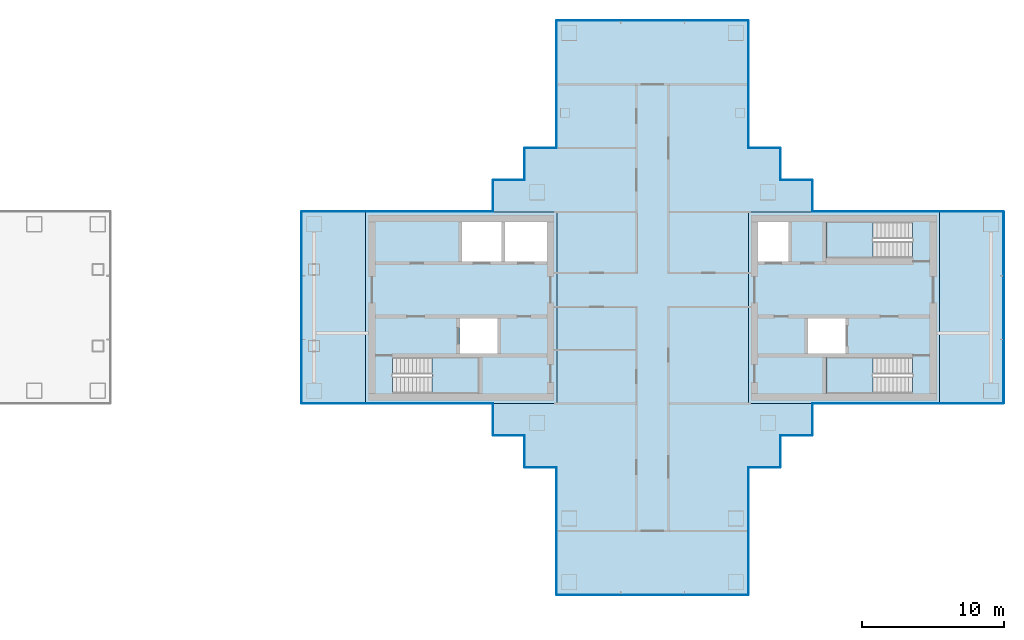
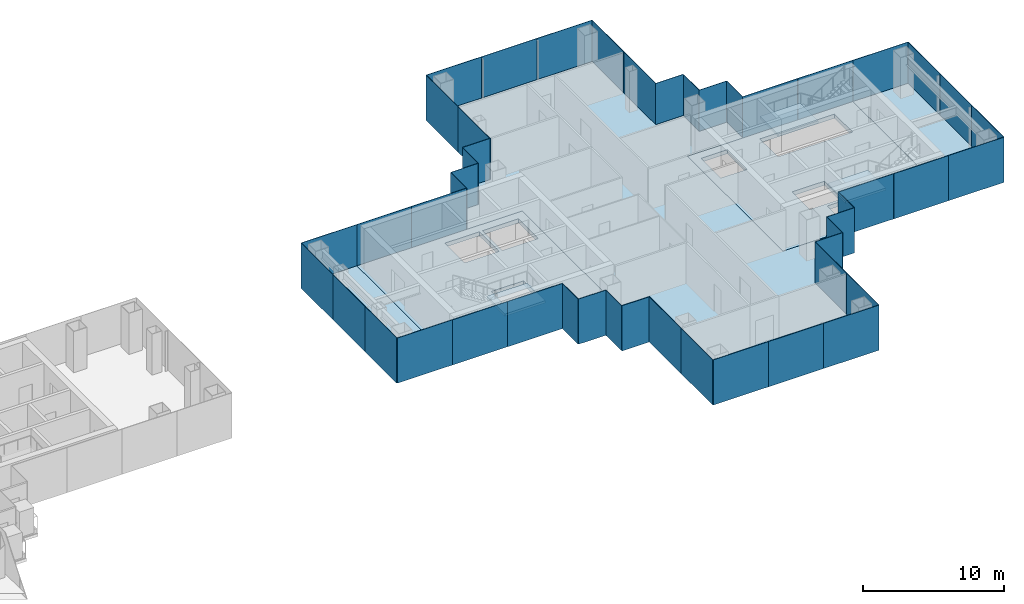
# One storey, part 8 of 16: 48 plates, 8 slabs, 23 elements without a shape of their own.
"""IFC4 building model written with IfcOpenShell, lengths in metres."""

from ifc_helpers import new_model, si_unit, direction, frame, origin, origin_2d, place, context, subcontext, project, spatial, polyline, rectangle, outline, extrude, material, layer, layer_set, type_object, element, aggregate, save


model = new_model("IFC4")

# Units and contexts
model_context = context("Model", 3, precision=1e-05, world=origin(), true_north=direction((0.0, 1.0)))
body_context = subcontext(model_context, "Body", "Model", "MODEL_VIEW")
ifc_project = project(units=[si_unit("LENGTHUNIT", "METRE"), si_unit("AREAUNIT", "SQUARE_METRE"), si_unit("VOLUMEUNIT", "CUBIC_METRE"), si_unit("PLANEANGLEUNIT", "RADIAN"), si_unit("MASSUNIT", "GRAM", prefix="KILO")], contexts=[model_context])

# Site, building, storey
site_placement = place(None, origin())
site = spatial("IfcSite", under=ifc_project, at=site_placement, CompositionType="ELEMENT")
building_placement = place(site_placement, origin())
building = spatial("IfcBuilding", under=site, at=building_placement, Name="Shamsa Quay Exchange Towers", CompositionType="ELEMENT")
storey_placement = place(building_placement, frame((0.0, 0.0, 158.39990234375)))
storey = spatial("IfcBuildingStorey", under=building, at=storey_placement, Name="L37", CompositionType="ELEMENT", Elevation=158.39990234375)

# Slabs
ifc_material_1 = material(Name="Concrete C50/60", Category="concrete")
ifc_layer_1 = layer(ifc_material_1, 0.35009765625)
ifc_layer_set_1 = layer_set([ifc_layer_1], Name="CORE FLOOR 350 C50/60")
slab_type_1 = type_object("IfcSlabType", Name="CORE FLOOR 350 C50/60", PredefinedType="FLOOR", material=ifc_layer_set_1)
slab_1_placement = place(storey_placement, frame((0.0, 0.0, -0.349853515625)))
element("IfcSlab", 1, at=slab_1_placement, inside=storey, type_object=slab_type_1, Name="Core floor T2A", PredefinedType="FLOOR", context=body_context, shape_type="SweptSolid", body=[
    extrude(outline(polyline([(13.5, -6.75), (27.0, -6.75), (27.0, 6.75), (13.5, 6.75), (13.5, -6.75)]), holes=[polyline([(15.400634765625, -6.050048828125), (15.400634765625, -3.5), (21.5, -3.5), (21.5, -6.050048828125), (15.400634765625, -6.050048828125)]), polyline([(20.300048828125, 3.25), (20.300048828125, 6.050048828125), (23.10009765625, 6.050048828125), (23.10009765625, 3.25), (20.300048828125, 3.25)]), polyline([(23.35009765625, 3.25), (23.35009765625, 6.050048828125), (26.300048828125, 6.050048828125), (26.300048828125, 3.25), (23.35009765625, 3.25)]), polyline([(20.14990234375, -3.25), (20.14990234375, -0.75), (22.800048828125, -0.75), (22.800048828125, -3.25), (20.14990234375, -3.25)])]), origin(), (0.0, 0.0, 1.0), 0.349853515625),
])
slab_2_placement = place(storey_placement, frame((0.0, 0.0, -0.349853515625)))
element("IfcSlab", 2, at=slab_2_placement, inside=storey, type_object=slab_type_1, Name="Core floor T2B", PredefinedType="FLOOR", context=body_context, shape_type="SweptSolid", body=[
    extrude(outline(polyline([(54.0, -6.75), (54.0, 6.75), (40.5, 6.75), (40.5, -6.75), (54.0, -6.75)]), holes=[polyline([(52.099365234375, -3.5), (52.099365234375, -6.050048828125), (46.0, -6.050048828125), (46.0, -3.5), (52.099365234375, -3.5)]), polyline([(52.099365234375, 6.050048828125), (52.099365234375, 3.5), (46.0, 3.5), (46.0, 6.050048828125), (52.099365234375, 6.050048828125)]), polyline([(43.35009765625, 3.25), (41.199951171875, 3.25), (41.199951171875, 6.050048828125), (43.35009765625, 6.050048828125), (43.35009765625, 3.25)]), polyline([(47.35009765625, -3.25), (44.699951171875, -3.25), (44.699951171875, -0.75), (47.35009765625, -0.75), (47.35009765625, -3.25)])]), origin(), (0.0, 0.0, 1.0), 0.349853515625),
])

# Stair, slab
ifc_material_2 = material(Name="Concrete C40/50", Category="concrete")
stair_type = type_object("IfcStairType", Name="EXIT STAIR 22 RISERS 177 MM", PredefinedType="HALF_TURN_STAIR", material=ifc_material_2)
stair_1_placement = place(storey_placement, origin())
stair_1 = element("IfcStair", 3, at=stair_1_placement, inside=storey, type_object=stair_type, Name="L37 Exit stair ST4", PredefinedType="HALF_TURN_STAIR")
ifc_layer_2 = layer(ifc_material_2, 0.199951171875)
ifc_layer_set_2 = layer_set([ifc_layer_2], Name="CORE STAIR LANDING")
slab_type_2 = type_object("IfcSlabType", Name="CORE STAIR LANDING", PredefinedType="LANDING", material=ifc_layer_set_2)
slab_3_placement = place(storey_placement, frame((0.0, 0.0, 1.75)))
slab_3 = element("IfcSlab", 4, at=slab_3_placement, type_object=slab_type_2, Name="ST4 landing 1", PredefinedType="LANDING", context=body_context, shape_type="SweptSolid", body=[
    extrude(outline(polyline([(18.199951171875, -6.050048828125), (21.5, -6.050048828125), (21.5, -3.5), (18.199951171875, -3.5), (18.199951171875, -6.050048828125)])), origin(), (0.0, 0.0, 1.0), 0.2001953125),
])
aggregate(stair_1, [slab_3])

stair_2_placement = place(storey_placement, origin())
stair_2 = element("IfcStair", 5, at=stair_2_placement, inside=storey, type_object=stair_type, Name="L37 Exit stair ST5", PredefinedType="HALF_TURN_STAIR")
slab_4_placement = place(storey_placement, frame((0.0, 0.0, 1.75)))
slab_4 = element("IfcSlab", 6, at=slab_4_placement, type_object=slab_type_2, Name="ST5 landing 1", PredefinedType="LANDING", context=body_context, shape_type="SweptSolid", body=[
    extrude(outline(polyline([(49.300048828125, -3.5), (46.0, -3.5), (46.0, -6.050048828125), (49.300048828125, -6.050048828125), (49.300048828125, -3.5)])), origin(), (0.0, 0.0, 1.0), 0.2001953125),
])
aggregate(stair_2, [slab_4])

stair_3_placement = place(storey_placement, origin())
stair_3 = element("IfcStair", 7, at=stair_3_placement, inside=storey, type_object=stair_type, Name="L37 Exit stair ST6", PredefinedType="HALF_TURN_STAIR")
slab_5_placement = place(storey_placement, frame((0.0, 0.0, 1.75)))
slab_5 = element("IfcSlab", 8, at=slab_5_placement, type_object=slab_type_2, Name="ST6 landing 1", PredefinedType="LANDING", context=body_context, shape_type="SweptSolid", body=[
    extrude(outline(polyline([(49.300048828125, 6.050048828125), (46.0, 6.050048828125), (46.0, 3.5), (49.300048828125, 3.5), (49.300048828125, 6.050048828125)])), origin(), (0.0, 0.0, 1.0), 0.2001953125),
])
aggregate(stair_3, [slab_5])

# Curtain wall, plate
ifc_material_3 = material(Name="Aluminium EN AW-6063 T6, black anodised", Category="aluminium")
ifc_layer_3 = layer(ifc_material_3, 0.280029296875)
ifc_layer_set_3 = layer_set([ifc_layer_3], Name="CW-1 UNITISED VISION GLASS")
curtain_wall_type_1 = type_object("IfcCurtainWallType", Name="CW-1 UNITISED VISION GLASS", PredefinedType="NOTDEFINED", material=ifc_layer_set_3)
curtain_wall_1_placement = place(storey_placement, origin())
curtain_wall_1 = element("IfcCurtainWall", 9, at=curtain_wall_1_placement, inside=storey, type_object=curtain_wall_type_1, Name="CW1 T2-FLK-V-W L37", PredefinedType="NOTDEFINED")
ifc_material_4 = material(Name="Glass, laminated, dark tinted", Category="glass")
ifc_layer_4 = layer(ifc_material_4, 0.0400390625)
ifc_layer_set_4 = layer_set([ifc_layer_4], Name="CW-1 VISION GLASS 40")
plate_type_1 = type_object("IfcPlateType", Name="CW-1 VISION GLASS 40", PredefinedType="CURTAIN_PANEL", material=ifc_layer_set_4)
plate_1_placement = place(storey_placement, frame((56.25, -6.77001953125, -0.349853515625)))
plate_1 = element("IfcPlate", 10, at=plate_1_placement, type_object=plate_type_1, Name="CW1 glass panel", PredefinedType="CURTAIN_PANEL", context=body_context, shape_type="SweptSolid", body=[
    extrude(rectangle(XDim=4.5, YDim=0.0400390625, at=origin_2d()), origin(), (0.0, 0.0, 1.0), 3.89990234375),
])
aggregate(curtain_wall_1, [plate_1])

# Curtain wall, plates
curtain_wall_2_placement = place(storey_placement, origin())
curtain_wall_2 = element("IfcCurtainWall", 11, at=curtain_wall_2_placement, inside=storey, type_object=curtain_wall_type_1, Name="CW1 T2-END-V- L37", PredefinedType="NOTDEFINED")
plate_2_placement = place(storey_placement, frame((58.52001953125, -4.50244140625, -0.349853515625), z_axis=(0.0, 0.0, 1.0), x_axis=(0.0, 1.0, 0.0)))
plate_2 = element("IfcPlate", 12, at=plate_2_placement, type_object=plate_type_1, Name="CW1 glass panel", PredefinedType="CURTAIN_PANEL", context=body_context, shape_type="SweptSolid", body=[
    extrude(rectangle(XDim=4.4951171875, YDim=0.0400390625, at=origin_2d()), origin(), (0.0, 0.0, 1.0), 3.89990234375),
])
plate_3_placement = place(storey_placement, frame((58.52001953125, 0.0, -0.349853515625), z_axis=(0.0, 0.0, 1.0), x_axis=(0.0, 1.0, 0.0)))
plate_3 = element("IfcPlate", 13, at=plate_3_placement, type_object=plate_type_1, Name="CW1 glass panel", PredefinedType="CURTAIN_PANEL", context=body_context, shape_type="SweptSolid", body=[
    extrude(rectangle(XDim=4.489990234375, YDim=0.0400390625, at=origin_2d()), origin(), (0.0, 0.0, 1.0), 3.89990234375),
])
plate_4_placement = place(storey_placement, frame((58.52001953125, 4.50244140625, -0.349853515625), z_axis=(0.0, 0.0, 1.0), x_axis=(0.0, 1.0, 0.0)))
plate_4 = element("IfcPlate", 14, at=plate_4_placement, type_object=plate_type_1, Name="CW1 glass panel", PredefinedType="CURTAIN_PANEL", context=body_context, shape_type="SweptSolid", body=[
    extrude(rectangle(XDim=4.4951171875, YDim=0.0400390625, at=origin_2d()), origin(), (0.0, 0.0, 1.0), 3.89990234375),
])
aggregate(curtain_wall_2, [plate_2, plate_3, plate_4])

# Curtain wall, plate
curtain_wall_3_placement = place(storey_placement, origin())
curtain_wall_3 = element("IfcCurtainWall", 15, at=curtain_wall_3_placement, inside=storey, type_object=curtain_wall_type_1, Name="CW1 T2-FLK-V-E L37", PredefinedType="NOTDEFINED")
plate_5_placement = place(storey_placement, frame((56.25, 6.77001953125, -0.349853515625), z_axis=(0.0, 0.0, 1.0), x_axis=(-1.0, 0.0, 0.0)))
plate_5 = element("IfcPlate", 16, at=plate_5_placement, type_object=plate_type_1, Name="CW1 glass panel", PredefinedType="CURTAIN_PANEL", context=body_context, shape_type="SweptSolid", body=[
    extrude(rectangle(XDim=4.5, YDim=0.0400390625, at=origin_2d()), origin(), (0.0, 0.0, 1.0), 3.89990234375),
])
aggregate(curtain_wall_3, [plate_5])

# Curtain wall, plates
curtain_wall_4_placement = place(storey_placement, origin())
curtain_wall_4 = element("IfcCurtainWall", 17, at=curtain_wall_4_placement, inside=storey, type_object=curtain_wall_type_1, Name="CW1 T2-FLK-U+S L37", PredefinedType="NOTDEFINED")
plate_6_placement = place(storey_placement, frame((40.52001953125, 13.52587890625, -0.349853515625), z_axis=(0.0, 0.0, 1.0), x_axis=(0.0, 1.0, 0.0)))
plate_6 = element("IfcPlate", 18, at=plate_6_placement, type_object=plate_type_1, Name="CW1 glass panel", PredefinedType="CURTAIN_PANEL", context=body_context, shape_type="SweptSolid", body=[
    extrude(rectangle(XDim=4.47607421875, YDim=0.0400390625, at=origin_2d()), origin(), (0.0, 0.0, 1.0), 3.89990234375),
])
plate_7_placement = place(storey_placement, frame((40.52001953125, 18.011962890625, -0.349853515625), z_axis=(0.0, 0.0, 1.0), x_axis=(0.0, 1.0, 0.0)))
plate_7 = element("IfcPlate", 19, at=plate_7_placement, type_object=plate_type_1, Name="CW1 glass panel", PredefinedType="CURTAIN_PANEL", context=body_context, shape_type="SweptSolid", body=[
    extrude(rectangle(XDim=4.47607421875, YDim=0.0400390625, at=origin_2d()), origin(), (0.0, 0.0, 1.0), 3.89990234375),
])
aggregate(curtain_wall_4, [plate_6, plate_7])

curtain_wall_5_placement = place(storey_placement, origin())
curtain_wall_5 = element("IfcCurtainWall", 20, at=curtain_wall_5_placement, inside=storey, type_object=curtain_wall_type_1, Name="CW1 T2-END-U+ L37", PredefinedType="NOTDEFINED")
plate_8_placement = place(storey_placement, frame((38.25244140625, 20.27001953125, -0.349853515625), z_axis=(0.0, 0.0, 1.0), x_axis=(-1.0, 0.0, 0.0)))
plate_8 = element("IfcPlate", 21, at=plate_8_placement, type_object=plate_type_1, Name="CW1 glass panel", PredefinedType="CURTAIN_PANEL", context=body_context, shape_type="SweptSolid", body=[
    extrude(rectangle(XDim=4.4951171875, YDim=0.0400390625, at=origin_2d()), origin(), (0.0, 0.0, 1.0), 3.89990234375),
])
plate_9_placement = place(storey_placement, frame((33.75, 20.27001953125, -0.349853515625), z_axis=(0.0, 0.0, 1.0), x_axis=(-1.0, 0.0, 0.0)))
plate_9 = element("IfcPlate", 22, at=plate_9_placement, type_object=plate_type_1, Name="CW1 glass panel", PredefinedType="CURTAIN_PANEL", context=body_context, shape_type="SweptSolid", body=[
    extrude(rectangle(XDim=4.489990234375, YDim=0.0400390625, at=origin_2d()), origin(), (0.0, 0.0, 1.0), 3.89990234375),
])
plate_10_placement = place(storey_placement, frame((29.24755859375, 20.27001953125, -0.349853515625), z_axis=(0.0, 0.0, 1.0), x_axis=(-1.0, 0.0, 0.0)))
plate_10 = element("IfcPlate", 23, at=plate_10_placement, type_object=plate_type_1, Name="CW1 glass panel", PredefinedType="CURTAIN_PANEL", context=body_context, shape_type="SweptSolid", body=[
    extrude(rectangle(XDim=4.4951171875, YDim=0.0400390625, at=origin_2d()), origin(), (0.0, 0.0, 1.0), 3.89990234375),
])
aggregate(curtain_wall_5, [plate_8, plate_9, plate_10])

curtain_wall_6_placement = place(storey_placement, origin())
curtain_wall_6 = element("IfcCurtainWall", 24, at=curtain_wall_6_placement, inside=storey, type_object=curtain_wall_type_1, Name="CW1 T2-FLK-U+N L37", PredefinedType="NOTDEFINED")
plate_11_placement = place(storey_placement, frame((26.97998046875, 18.00244140625, -0.349853515625), z_axis=(0.0, 0.0, 1.0), x_axis=(0.0, -1.0, 0.0)))
plate_11 = element("IfcPlate", 25, at=plate_11_placement, type_object=plate_type_1, Name="CW1 glass panel", PredefinedType="CURTAIN_PANEL", context=body_context, shape_type="SweptSolid", body=[
    extrude(rectangle(XDim=4.4951171875, YDim=0.0400390625, at=origin_2d()), origin(), (0.0, 0.0, 1.0), 3.89990234375),
])
plate_12_placement = place(storey_placement, frame((26.97998046875, 13.49755859375, -0.349853515625), z_axis=(0.0, 0.0, 1.0), x_axis=(0.0, -1.0, 0.0)))
plate_12 = element("IfcPlate", 26, at=plate_12_placement, type_object=plate_type_1, Name="CW1 glass panel", PredefinedType="CURTAIN_PANEL", context=body_context, shape_type="SweptSolid", body=[
    extrude(rectangle(XDim=4.4951171875, YDim=0.0400390625, at=origin_2d()), origin(), (0.0, 0.0, 1.0), 3.89990234375),
])
aggregate(curtain_wall_6, [plate_11, plate_12])

# Curtain wall, plate
curtain_wall_7_placement = place(storey_placement, origin())
curtain_wall_7 = element("IfcCurtainWall", 27, at=curtain_wall_7_placement, inside=storey, type_object=curtain_wall_type_1, Name="CW1 T2-FLK-V+E L37", PredefinedType="NOTDEFINED")
plate_13_placement = place(storey_placement, frame((11.25, 6.77001953125, -0.349853515625), z_axis=(0.0, 0.0, 1.0), x_axis=(-1.0, 0.0, 0.0)))
plate_13 = element("IfcPlate", 28, at=plate_13_placement, type_object=plate_type_1, Name="CW1 glass panel", PredefinedType="CURTAIN_PANEL", context=body_context, shape_type="SweptSolid", body=[
    extrude(rectangle(XDim=4.5, YDim=0.0400390625, at=origin_2d()), origin(), (0.0, 0.0, 1.0), 3.89990234375),
])
aggregate(curtain_wall_7, [plate_13])

# Curtain wall, plates
curtain_wall_8_placement = place(storey_placement, origin())
curtain_wall_8 = element("IfcCurtainWall", 29, at=curtain_wall_8_placement, inside=storey, type_object=curtain_wall_type_1, Name="CW1 T2-END-V+ L37", PredefinedType="NOTDEFINED")
plate_14_placement = place(storey_placement, frame((8.97998046875, 4.50244140625, -0.349853515625), z_axis=(0.0, 0.0, 1.0), x_axis=(0.0, -1.0, 0.0)))
plate_14 = element("IfcPlate", 30, at=plate_14_placement, type_object=plate_type_1, Name="CW1 glass panel", PredefinedType="CURTAIN_PANEL", context=body_context, shape_type="SweptSolid", body=[
    extrude(rectangle(XDim=4.4951171875, YDim=0.0400390625, at=origin_2d()), origin(), (0.0, 0.0, 1.0), 3.89990234375),
])
plate_15_placement = place(storey_placement, frame((8.97998046875, 0.0, -0.349853515625), z_axis=(0.0, 0.0, 1.0), x_axis=(0.0, -1.0, 0.0)))
plate_15 = element("IfcPlate", 31, at=plate_15_placement, type_object=plate_type_1, Name="CW1 glass panel", PredefinedType="CURTAIN_PANEL", context=body_context, shape_type="SweptSolid", body=[
    extrude(rectangle(XDim=4.489990234375, YDim=0.0400390625, at=origin_2d()), origin(), (0.0, 0.0, 1.0), 3.89990234375),
])
plate_16_placement = place(storey_placement, frame((8.97998046875, -4.50244140625, -0.349853515625), z_axis=(0.0, 0.0, 1.0), x_axis=(0.0, -1.0, 0.0)))
plate_16 = element("IfcPlate", 32, at=plate_16_placement, type_object=plate_type_1, Name="CW1 glass panel", PredefinedType="CURTAIN_PANEL", context=body_context, shape_type="SweptSolid", body=[
    extrude(rectangle(XDim=4.4951171875, YDim=0.0400390625, at=origin_2d()), origin(), (0.0, 0.0, 1.0), 3.89990234375),
])
aggregate(curtain_wall_8, [plate_14, plate_15, plate_16])

# Curtain wall, plate
curtain_wall_9_placement = place(storey_placement, origin())
curtain_wall_9 = element("IfcCurtainWall", 33, at=curtain_wall_9_placement, inside=storey, type_object=curtain_wall_type_1, Name="CW1 T2-FLK-V+W L37", PredefinedType="NOTDEFINED")
plate_17_placement = place(storey_placement, frame((11.25, -6.77001953125, -0.349853515625)))
plate_17 = element("IfcPlate", 34, at=plate_17_placement, type_object=plate_type_1, Name="CW1 glass panel", PredefinedType="CURTAIN_PANEL", context=body_context, shape_type="SweptSolid", body=[
    extrude(rectangle(XDim=4.5, YDim=0.0400390625, at=origin_2d()), origin(), (0.0, 0.0, 1.0), 3.89990234375),
])
aggregate(curtain_wall_9, [plate_17])

# Curtain wall, plates
curtain_wall_10_placement = place(storey_placement, origin())
curtain_wall_10 = element("IfcCurtainWall", 35, at=curtain_wall_10_placement, inside=storey, type_object=curtain_wall_type_1, Name="CW1 T2-FLK-U-N L37", PredefinedType="NOTDEFINED")
plate_18_placement = place(storey_placement, frame((26.97998046875, -13.52587890625, -0.349853515625), z_axis=(0.0, 0.0, 1.0), x_axis=(0.0, -1.0, 0.0)))
plate_18 = element("IfcPlate", 36, at=plate_18_placement, type_object=plate_type_1, Name="CW1 glass panel", PredefinedType="CURTAIN_PANEL", context=body_context, shape_type="SweptSolid", body=[
    extrude(rectangle(XDim=4.47607421875, YDim=0.0400390625, at=origin_2d()), origin(), (0.0, 0.0, 1.0), 3.89990234375),
])
plate_19_placement = place(storey_placement, frame((26.97998046875, -18.011962890625, -0.349853515625), z_axis=(0.0, 0.0, 1.0), x_axis=(0.0, -1.0, 0.0)))
plate_19 = element("IfcPlate", 37, at=plate_19_placement, type_object=plate_type_1, Name="CW1 glass panel", PredefinedType="CURTAIN_PANEL", context=body_context, shape_type="SweptSolid", body=[
    extrude(rectangle(XDim=4.47607421875, YDim=0.0400390625, at=origin_2d()), origin(), (0.0, 0.0, 1.0), 3.89990234375),
])
aggregate(curtain_wall_10, [plate_18, plate_19])

curtain_wall_11_placement = place(storey_placement, origin())
curtain_wall_11 = element("IfcCurtainWall", 38, at=curtain_wall_11_placement, inside=storey, type_object=curtain_wall_type_1, Name="CW1 T2-END-U- L37", PredefinedType="NOTDEFINED")
plate_20_placement = place(storey_placement, frame((29.24755859375, -20.27001953125, -0.349853515625)))
plate_20 = element("IfcPlate", 39, at=plate_20_placement, type_object=plate_type_1, Name="CW1 glass panel", PredefinedType="CURTAIN_PANEL", context=body_context, shape_type="SweptSolid", body=[
    extrude(rectangle(XDim=4.4951171875, YDim=0.0400390625, at=origin_2d()), origin(), (0.0, 0.0, 1.0), 3.89990234375),
])
plate_21_placement = place(storey_placement, frame((33.75, -20.27001953125, -0.349853515625)))
plate_21 = element("IfcPlate", 40, at=plate_21_placement, type_object=plate_type_1, Name="CW1 glass panel", PredefinedType="CURTAIN_PANEL", context=body_context, shape_type="SweptSolid", body=[
    extrude(rectangle(XDim=4.489990234375, YDim=0.0400390625, at=origin_2d()), origin(), (0.0, 0.0, 1.0), 3.89990234375),
])
plate_22_placement = place(storey_placement, frame((38.25244140625, -20.27001953125, -0.349853515625)))
plate_22 = element("IfcPlate", 41, at=plate_22_placement, type_object=plate_type_1, Name="CW1 glass panel", PredefinedType="CURTAIN_PANEL", context=body_context, shape_type="SweptSolid", body=[
    extrude(rectangle(XDim=4.4951171875, YDim=0.0400390625, at=origin_2d()), origin(), (0.0, 0.0, 1.0), 3.89990234375),
])
aggregate(curtain_wall_11, [plate_20, plate_21, plate_22])

curtain_wall_12_placement = place(storey_placement, origin())
curtain_wall_12 = element("IfcCurtainWall", 42, at=curtain_wall_12_placement, inside=storey, type_object=curtain_wall_type_1, Name="CW1 T2-FLK-U-S L37", PredefinedType="NOTDEFINED")
plate_23_placement = place(storey_placement, frame((40.52001953125, -18.00244140625, -0.349853515625), z_axis=(0.0, 0.0, 1.0), x_axis=(0.0, 1.0, 0.0)))
plate_23 = element("IfcPlate", 43, at=plate_23_placement, type_object=plate_type_1, Name="CW1 glass panel", PredefinedType="CURTAIN_PANEL", context=body_context, shape_type="SweptSolid", body=[
    extrude(rectangle(XDim=4.4951171875, YDim=0.0400390625, at=origin_2d()), origin(), (0.0, 0.0, 1.0), 3.89990234375),
])
plate_24_placement = place(storey_placement, frame((40.52001953125, -13.49755859375, -0.349853515625), z_axis=(0.0, 0.0, 1.0), x_axis=(0.0, 1.0, 0.0)))
plate_24 = element("IfcPlate", 44, at=plate_24_placement, type_object=plate_type_1, Name="CW1 glass panel", PredefinedType="CURTAIN_PANEL", context=body_context, shape_type="SweptSolid", body=[
    extrude(rectangle(XDim=4.4951171875, YDim=0.0400390625, at=origin_2d()), origin(), (0.0, 0.0, 1.0), 3.89990234375),
])
aggregate(curtain_wall_12, [plate_23, plate_24])

ifc_layer_5 = layer(ifc_material_3, 0.303955078125)
ifc_layer_set_5 = layer_set([ifc_layer_5], Name="CW-2 UNITISED OPAQUE SPANDREL GLASS")
curtain_wall_type_2 = type_object("IfcCurtainWallType", Name="CW-2 UNITISED OPAQUE SPANDREL GLASS", PredefinedType="NOTDEFINED", material=ifc_layer_set_5)
curtain_wall_13_placement = place(storey_placement, origin())
curtain_wall_13 = element("IfcCurtainWall", 45, at=curtain_wall_13_placement, inside=storey, type_object=curtain_wall_type_2, Name="CW2 T2-FLK-V-W L37", PredefinedType="NOTDEFINED")
ifc_material_5 = material(Name="Glass, laminated, black enamelled opaque", Category="glass")
ifc_layer_6 = layer(ifc_material_5, 0.0439453125)
ifc_layer_set_6 = layer_set([ifc_layer_6], Name="CW-2 SPANDREL GLASS 44")
plate_type_2 = type_object("IfcPlateType", Name="CW-2 SPANDREL GLASS 44", PredefinedType="CURTAIN_PANEL", material=ifc_layer_set_6)
plate_25_placement = place(storey_placement, frame((47.27587890625, -6.77197265625, -0.349853515625)))
plate_25 = element("IfcPlate", 46, at=plate_25_placement, type_object=plate_type_2, Name="CW2 glass panel", PredefinedType="CURTAIN_PANEL", context=body_context, shape_type="SweptSolid", body=[
    extrude(rectangle(XDim=4.47607421875, YDim=0.0439453125, at=origin_2d()), origin(), (0.0, 0.0, 1.0), 3.89990234375),
])
plate_26_placement = place(storey_placement, frame((51.761962890625, -6.77197265625, -0.349853515625)))
plate_26 = element("IfcPlate", 47, at=plate_26_placement, type_object=plate_type_2, Name="CW2 glass panel", PredefinedType="CURTAIN_PANEL", context=body_context, shape_type="SweptSolid", body=[
    extrude(rectangle(XDim=4.47607421875, YDim=0.0439453125, at=origin_2d()), origin(), (0.0, 0.0, 1.0), 3.89990234375),
])
aggregate(curtain_wall_13, [plate_25, plate_26])

curtain_wall_14_placement = place(storey_placement, origin())
curtain_wall_14 = element("IfcCurtainWall", 48, at=curtain_wall_14_placement, inside=storey, type_object=curtain_wall_type_2, Name="CW2 T2-FLK-V-E L37", PredefinedType="NOTDEFINED")
plate_27_placement = place(storey_placement, frame((51.75244140625, 6.77197265625, -0.349853515625), z_axis=(0.0, 0.0, 1.0), x_axis=(-1.0, 0.0, 0.0)))
plate_27 = element("IfcPlate", 49, at=plate_27_placement, type_object=plate_type_2, Name="CW2 glass panel", PredefinedType="CURTAIN_PANEL", context=body_context, shape_type="SweptSolid", body=[
    extrude(rectangle(XDim=4.4951171875, YDim=0.0439453125, at=origin_2d()), origin(), (0.0, 0.0, 1.0), 3.89990234375),
])
plate_28_placement = place(storey_placement, frame((47.24755859375, 6.77197265625, -0.349853515625), z_axis=(0.0, 0.0, 1.0), x_axis=(-1.0, 0.0, 0.0)))
plate_28 = element("IfcPlate", 50, at=plate_28_placement, type_object=plate_type_2, Name="CW2 glass panel", PredefinedType="CURTAIN_PANEL", context=body_context, shape_type="SweptSolid", body=[
    extrude(rectangle(XDim=4.4951171875, YDim=0.0439453125, at=origin_2d()), origin(), (0.0, 0.0, 1.0), 3.89990234375),
])
aggregate(curtain_wall_14, [plate_27, plate_28])

curtain_wall_15_placement = place(storey_placement, origin())
curtain_wall_15 = element("IfcCurtainWall", 51, at=curtain_wall_15_placement, inside=storey, type_object=curtain_wall_type_2, Name="CW2 T2-FLK-V+E L37", PredefinedType="NOTDEFINED")
plate_29_placement = place(storey_placement, frame((20.22412109375, 6.77197265625, -0.349853515625), z_axis=(0.0, 0.0, 1.0), x_axis=(-1.0, 0.0, 0.0)))
plate_29 = element("IfcPlate", 52, at=plate_29_placement, type_object=plate_type_2, Name="CW2 glass panel", PredefinedType="CURTAIN_PANEL", context=body_context, shape_type="SweptSolid", body=[
    extrude(rectangle(XDim=4.47607421875, YDim=0.0439453125, at=origin_2d()), origin(), (0.0, 0.0, 1.0), 3.89990234375),
])
plate_30_placement = place(storey_placement, frame((15.738037109375, 6.77197265625, -0.349853515625), z_axis=(0.0, 0.0, 1.0), x_axis=(-1.0, 0.0, 0.0)))
plate_30 = element("IfcPlate", 53, at=plate_30_placement, type_object=plate_type_2, Name="CW2 glass panel", PredefinedType="CURTAIN_PANEL", context=body_context, shape_type="SweptSolid", body=[
    extrude(rectangle(XDim=4.47607421875, YDim=0.0439453125, at=origin_2d()), origin(), (0.0, 0.0, 1.0), 3.89990234375),
])
aggregate(curtain_wall_15, [plate_29, plate_30])

curtain_wall_16_placement = place(storey_placement, origin())
curtain_wall_16 = element("IfcCurtainWall", 54, at=curtain_wall_16_placement, inside=storey, type_object=curtain_wall_type_2, Name="CW2 T2-FLK-V+W L37", PredefinedType="NOTDEFINED")
plate_31_placement = place(storey_placement, frame((15.74755859375, -6.77197265625, -0.349853515625)))
plate_31 = element("IfcPlate", 55, at=plate_31_placement, type_object=plate_type_2, Name="CW2 glass panel", PredefinedType="CURTAIN_PANEL", context=body_context, shape_type="SweptSolid", body=[
    extrude(rectangle(XDim=4.4951171875, YDim=0.0439453125, at=origin_2d()), origin(), (0.0, 0.0, 1.0), 3.89990234375),
])
plate_32_placement = place(storey_placement, frame((20.25244140625, -6.77197265625, -0.349853515625)))
plate_32 = element("IfcPlate", 56, at=plate_32_placement, type_object=plate_type_2, Name="CW2 glass panel", PredefinedType="CURTAIN_PANEL", context=body_context, shape_type="SweptSolid", body=[
    extrude(rectangle(XDim=4.4951171875, YDim=0.0439453125, at=origin_2d()), origin(), (0.0, 0.0, 1.0), 3.89990234375),
])
aggregate(curtain_wall_16, [plate_31, plate_32])

ifc_layer_7 = layer(ifc_material_3, 0.256103515625)
ifc_layer_set_7 = layer_set([ifc_layer_7], Name="CW-4 POCKET SERRATED GLAZING")
curtain_wall_type_3 = type_object("IfcCurtainWallType", Name="CW-4 POCKET SERRATED GLAZING", PredefinedType="NOTDEFINED", material=ifc_layer_set_7)
curtain_wall_17_placement = place(storey_placement, origin())
curtain_wall_17 = element("IfcCurtainWall", 57, at=curtain_wall_17_placement, inside=storey, type_object=curtain_wall_type_3, Name="CW4 PKWS L37", PredefinedType="NOTDEFINED")
ifc_layer_8 = layer(ifc_material_4, 0.035888671875)
ifc_layer_set_8 = layer_set([ifc_layer_8], Name="CW-4 POCKET GLASS 36")
plate_type_3 = type_object("IfcPlateType", Name="CW-4 POCKET GLASS 36", PredefinedType="CURTAIN_PANEL", material=ifc_layer_set_8)
plate_33_placement = place(storey_placement, frame((43.89404296875, -9.01806640625, -0.349853515625)))
plate_33 = element("IfcPlate", 58, at=plate_33_placement, type_object=plate_type_3, Name="CW4 glass panel", PredefinedType="CURTAIN_PANEL", context=body_context, shape_type="SweptSolid", body=[
    extrude(rectangle(XDim=2.2119140625, YDim=0.035888671875, at=origin_2d()), origin(), (0.0, 0.0, 1.0), 3.89990234375),
])
plate_34_placement = place(storey_placement, frame((45.01806640625, -7.875, -0.349853515625), z_axis=(0.0, 0.0, 1.0), x_axis=(0.0, 1.0, 0.0)))
plate_34 = element("IfcPlate", 59, at=plate_34_placement, type_object=plate_type_3, Name="CW4 glass panel", PredefinedType="CURTAIN_PANEL", context=body_context, shape_type="SweptSolid", body=[
    extrude(rectangle(XDim=2.25, YDim=0.035888671875, at=origin_2d()), origin(), (0.0, 0.0, 1.0), 3.89990234375),
])
plate_35_placement = place(storey_placement, frame((41.64599609375, -11.26806640625, -0.349853515625)))
plate_35 = element("IfcPlate", 60, at=plate_35_placement, type_object=plate_type_3, Name="CW4 glass panel", PredefinedType="CURTAIN_PANEL", context=body_context, shape_type="SweptSolid", body=[
    extrude(rectangle(XDim=2.2080078125, YDim=0.035888671875, at=origin_2d()), origin(), (0.0, 0.0, 1.0), 3.89990234375),
])
plate_36_placement = place(storey_placement, frame((42.76806640625, -10.125, -0.349853515625), z_axis=(0.0, 0.0, 1.0), x_axis=(0.0, 1.0, 0.0)))
plate_36 = element("IfcPlate", 61, at=plate_36_placement, type_object=plate_type_3, Name="CW4 glass panel", PredefinedType="CURTAIN_PANEL", context=body_context, shape_type="SweptSolid", body=[
    extrude(rectangle(XDim=2.25, YDim=0.035888671875, at=origin_2d()), origin(), (0.0, 0.0, 1.0), 3.89990234375),
])
aggregate(curtain_wall_17, [plate_33, plate_34, plate_35, plate_36])

curtain_wall_18_placement = place(storey_placement, origin())
curtain_wall_18 = element("IfcCurtainWall", 62, at=curtain_wall_18_placement, inside=storey, type_object=curtain_wall_type_3, Name="CW4 PKES L37", PredefinedType="NOTDEFINED")
plate_37_placement = place(storey_placement, frame((45.01806640625, 7.89794921875, -0.349853515625), z_axis=(0.0, 0.0, 1.0), x_axis=(0.0, 1.0, 0.0)))
plate_37 = element("IfcPlate", 63, at=plate_37_placement, type_object=plate_type_3, Name="CW4 glass panel", PredefinedType="CURTAIN_PANEL", context=body_context, shape_type="SweptSolid", body=[
    extrude(rectangle(XDim=2.2041015625, YDim=0.035888671875, at=origin_2d()), origin(), (0.0, 0.0, 1.0), 3.89990234375),
])
plate_38_placement = place(storey_placement, frame((43.875, 9.01806640625, -0.349853515625), z_axis=(0.0, 0.0, 1.0), x_axis=(-1.0, 0.0, 0.0)))
plate_38 = element("IfcPlate", 64, at=plate_38_placement, type_object=plate_type_3, Name="CW4 glass panel", PredefinedType="CURTAIN_PANEL", context=body_context, shape_type="SweptSolid", body=[
    extrude(rectangle(XDim=2.25, YDim=0.035888671875, at=origin_2d()), origin(), (0.0, 0.0, 1.0), 3.89990234375),
])
plate_39_placement = place(storey_placement, frame((42.76806640625, 10.14404296875, -0.349853515625), z_axis=(0.0, 0.0, 1.0), x_axis=(0.0, 1.0, 0.0)))
plate_39 = element("IfcPlate", 65, at=plate_39_placement, type_object=plate_type_3, Name="CW4 glass panel", PredefinedType="CURTAIN_PANEL", context=body_context, shape_type="SweptSolid", body=[
    extrude(rectangle(XDim=2.2119140625, YDim=0.035888671875, at=origin_2d()), origin(), (0.0, 0.0, 1.0), 3.89990234375),
])
plate_40_placement = place(storey_placement, frame((41.625, 11.26806640625, -0.349853515625), z_axis=(0.0, 0.0, 1.0), x_axis=(-1.0, 0.0, 0.0)))
plate_40 = element("IfcPlate", 66, at=plate_40_placement, type_object=plate_type_3, Name="CW4 glass panel", PredefinedType="CURTAIN_PANEL", context=body_context, shape_type="SweptSolid", body=[
    extrude(rectangle(XDim=2.25, YDim=0.035888671875, at=origin_2d()), origin(), (0.0, 0.0, 1.0), 3.89990234375),
])
aggregate(curtain_wall_18, [plate_37, plate_38, plate_39, plate_40])

curtain_wall_19_placement = place(storey_placement, origin())
curtain_wall_19 = element("IfcCurtainWall", 67, at=curtain_wall_19_placement, inside=storey, type_object=curtain_wall_type_3, Name="CW4 PKEN L37", PredefinedType="NOTDEFINED")
plate_41_placement = place(storey_placement, frame((25.85400390625, 11.26806640625, -0.349853515625), z_axis=(0.0, 0.0, 1.0), x_axis=(-1.0, 0.0, 0.0)))
plate_41 = element("IfcPlate", 68, at=plate_41_placement, type_object=plate_type_3, Name="CW4 glass panel", PredefinedType="CURTAIN_PANEL", context=body_context, shape_type="SweptSolid", body=[
    extrude(rectangle(XDim=2.2080078125, YDim=0.035888671875, at=origin_2d()), origin(), (0.0, 0.0, 1.0), 3.89990234375),
])
plate_42_placement = place(storey_placement, frame((24.73193359375, 10.125, -0.349853515625), z_axis=(0.0, 0.0, 1.0), x_axis=(0.0, -1.0, 0.0)))
plate_42 = element("IfcPlate", 69, at=plate_42_placement, type_object=plate_type_3, Name="CW4 glass panel", PredefinedType="CURTAIN_PANEL", context=body_context, shape_type="SweptSolid", body=[
    extrude(rectangle(XDim=2.25, YDim=0.035888671875, at=origin_2d()), origin(), (0.0, 0.0, 1.0), 3.89990234375),
])
plate_43_placement = place(storey_placement, frame((23.60595703125, 9.01806640625, -0.349853515625), z_axis=(0.0, 0.0, 1.0), x_axis=(-1.0, 0.0, 0.0)))
plate_43 = element("IfcPlate", 70, at=plate_43_placement, type_object=plate_type_3, Name="CW4 glass panel", PredefinedType="CURTAIN_PANEL", context=body_context, shape_type="SweptSolid", body=[
    extrude(rectangle(XDim=2.2119140625, YDim=0.035888671875, at=origin_2d()), origin(), (0.0, 0.0, 1.0), 3.89990234375),
])
plate_44_placement = place(storey_placement, frame((22.48193359375, 7.875, -0.349853515625), z_axis=(0.0, 0.0, 1.0), x_axis=(0.0, -1.0, 0.0)))
plate_44 = element("IfcPlate", 71, at=plate_44_placement, type_object=plate_type_3, Name="CW4 glass panel", PredefinedType="CURTAIN_PANEL", context=body_context, shape_type="SweptSolid", body=[
    extrude(rectangle(XDim=2.25, YDim=0.035888671875, at=origin_2d()), origin(), (0.0, 0.0, 1.0), 3.89990234375),
])
aggregate(curtain_wall_19, [plate_41, plate_42, plate_43, plate_44])

curtain_wall_20_placement = place(storey_placement, origin())
curtain_wall_20 = element("IfcCurtainWall", 72, at=curtain_wall_20_placement, inside=storey, type_object=curtain_wall_type_3, Name="CW4 PKWN L37", PredefinedType="NOTDEFINED")
plate_45_placement = place(storey_placement, frame((22.48193359375, -7.89794921875, -0.349853515625), z_axis=(0.0, 0.0, 1.0), x_axis=(0.0, -1.0, 0.0)))
plate_45 = element("IfcPlate", 73, at=plate_45_placement, type_object=plate_type_3, Name="CW4 glass panel", PredefinedType="CURTAIN_PANEL", context=body_context, shape_type="SweptSolid", body=[
    extrude(rectangle(XDim=2.2041015625, YDim=0.035888671875, at=origin_2d()), origin(), (0.0, 0.0, 1.0), 3.89990234375),
])
plate_46_placement = place(storey_placement, frame((23.625, -9.01806640625, -0.349853515625)))
plate_46 = element("IfcPlate", 74, at=plate_46_placement, type_object=plate_type_3, Name="CW4 glass panel", PredefinedType="CURTAIN_PANEL", context=body_context, shape_type="SweptSolid", body=[
    extrude(rectangle(XDim=2.25, YDim=0.035888671875, at=origin_2d()), origin(), (0.0, 0.0, 1.0), 3.89990234375),
])
plate_47_placement = place(storey_placement, frame((24.73193359375, -10.14404296875, -0.349853515625), z_axis=(0.0, 0.0, 1.0), x_axis=(0.0, -1.0, 0.0)))
plate_47 = element("IfcPlate", 75, at=plate_47_placement, type_object=plate_type_3, Name="CW4 glass panel", PredefinedType="CURTAIN_PANEL", context=body_context, shape_type="SweptSolid", body=[
    extrude(rectangle(XDim=2.2119140625, YDim=0.035888671875, at=origin_2d()), origin(), (0.0, 0.0, 1.0), 3.89990234375),
])
plate_48_placement = place(storey_placement, frame((25.875, -11.26806640625, -0.349853515625)))
plate_48 = element("IfcPlate", 76, at=plate_48_placement, type_object=plate_type_3, Name="CW4 glass panel", PredefinedType="CURTAIN_PANEL", context=body_context, shape_type="SweptSolid", body=[
    extrude(rectangle(XDim=2.25, YDim=0.035888671875, at=origin_2d()), origin(), (0.0, 0.0, 1.0), 3.89990234375),
])
aggregate(curtain_wall_20, [plate_45, plate_46, plate_47, plate_48])

# Slabs
ifc_layer_9 = layer(ifc_material_2, 0.35009765625)
ifc_layer_set_9 = layer_set([ifc_layer_9], Name="Flat slab 350")
slab_type_3 = type_object("IfcSlabType", Name="Flat slab 350", PredefinedType="FLOOR", material=ifc_layer_set_9)
slab_6_placement = place(storey_placement, frame((0.0, 0.0, -0.349853515625)))
element("IfcSlab", 77, at=slab_6_placement, inside=storey, type_object=slab_type_3, Name="Flat slab T2 L37 4", PredefinedType="FLOOR", context=body_context, shape_type="SweptSolid", body=[
    extrude(outline(polyline([(9.0, -6.75), (13.5, -6.75), (13.5, 6.75), (9.0, 6.75), (9.0, -6.75)])), origin(), (0.0, 0.0, 1.0), 0.349853515625),
])
slab_7_placement = place(storey_placement, frame((0.0, 0.0, -0.349853515625)))
element("IfcSlab", 78, at=slab_7_placement, inside=storey, type_object=slab_type_3, Name="Flat slab T2 L37 5", PredefinedType="FLOOR", context=body_context, shape_type="SweptSolid", body=[
    extrude(outline(polyline([(45.0, -9.0), (45.0, -6.75), (40.5, -6.75), (40.5, 6.75), (45.0, 6.75), (45.0, 9.0), (42.75, 9.0), (42.75, 11.25), (40.5, 11.25), (40.5, 20.25), (27.0, 20.25), (27.0, 11.25), (24.75, 11.25), (24.75, 9.0), (22.5, 9.0), (22.5, 6.75), (27.0, 6.75), (27.0, -6.75), (22.5, -6.75), (22.5, -9.0), (24.75, -9.0), (24.75, -11.25), (27.0, -11.25), (27.0, -20.25), (40.5, -20.25), (40.5, -11.25), (42.75, -11.25), (42.75, -9.0), (45.0, -9.0)])), origin(), (0.0, 0.0, 1.0), 0.349853515625),
])
slab_8_placement = place(storey_placement, frame((0.0, 0.0, -0.349853515625)))
element("IfcSlab", 79, at=slab_8_placement, inside=storey, type_object=slab_type_3, Name="Flat slab T2 L37 6", PredefinedType="FLOOR", context=body_context, shape_type="SweptSolid", body=[
    extrude(outline(polyline([(58.5, 6.75), (54.0, 6.75), (54.0, -6.75), (58.5, -6.75), (58.5, 6.75)])), origin(), (0.0, 0.0, 1.0), 0.349853515625),
])

save(model, "model.ifc")
